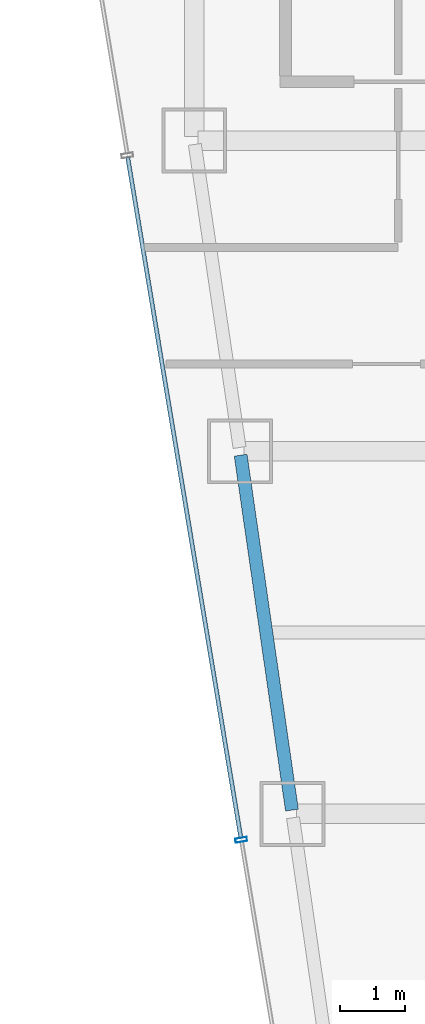
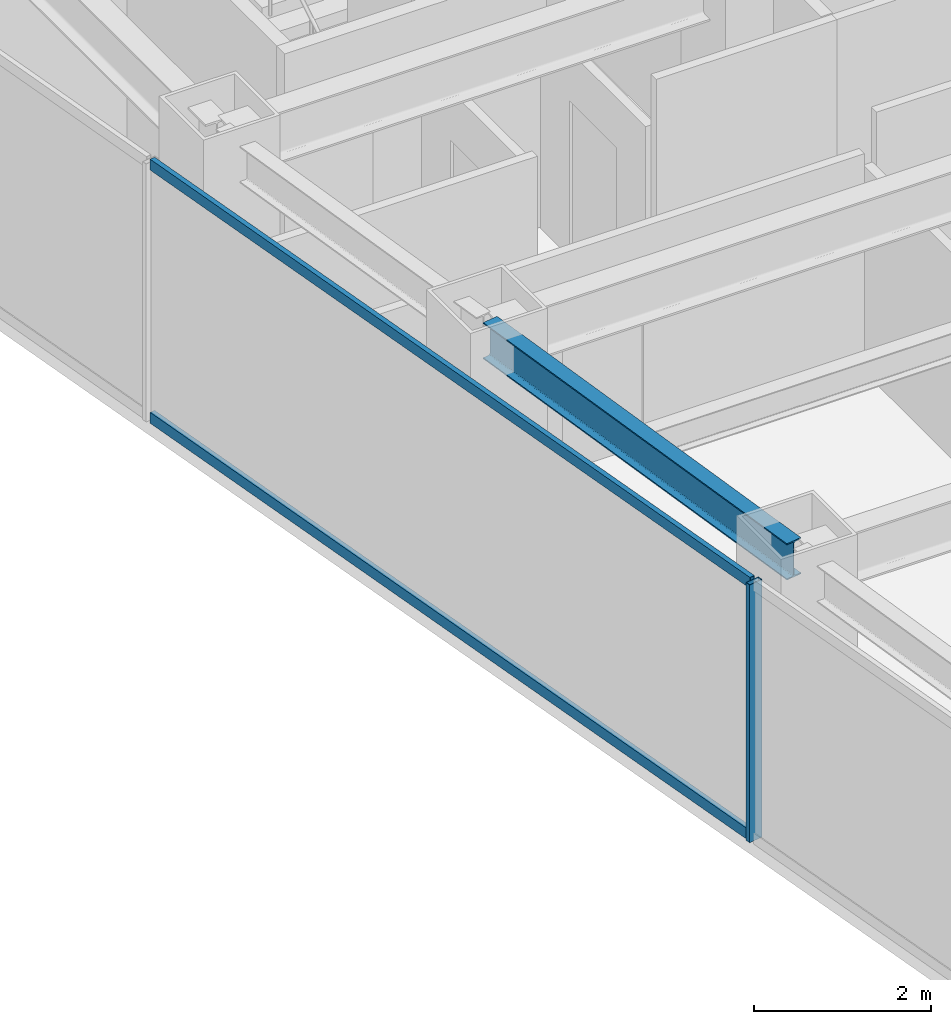
# One storey, part 9 of 38: 3 members, 1 beam, 1 element without a shape of its own.
"""IFC4 building model written with IfcOpenShell, lengths in metres."""

import ifcopenshell
import ifcopenshell.guid

model = None  # the IFC model being written
_history = None  # IfcOwnerHistory: only IFC2X3 demands one
_inside = {}  # id of a spatial element -> (the spatial element, [elements in it])
_under = {}  # id of a project, library or spatial element -> (it, [spatial elements below it])
_declared = {}  # id of a project -> (the project, [libraries it declares])
_typed = {}  # id of a type object -> (the type object, [elements of that type])
_made_of = {}  # id of a material, layer set ... -> (it, [elements and type objects made of it])


def new_model(schema):
    """Start an empty IFC model of exactly this schema.

    Asked for "IFC4X3", IfcOpenShell would pick the latest addendum, in which some entities
    have other attributes; the version numbers below select the first issue.
    IFC2X3 requires an IfcOwnerHistory on every rooted entity: one is made here for all.
    """
    global model, _history
    if schema == "IFC4X3":
        model = ifcopenshell.file(schema_version=(4, 3, 0, 0))
    else:
        model = ifcopenshell.file(schema=schema)
    _inside.clear()
    _under.clear()
    _declared.clear()
    _typed.clear()
    _made_of.clear()
    _history = None
    if model.schema == "IFC2X3":
        org = make("IfcOrganization", Name="unknown")
        user = make(
            "IfcPersonAndOrganization",
            ThePerson=make("IfcPerson", FamilyName="unknown"),
            TheOrganization=org,
        )
        app = make(
            "IfcApplication",
            ApplicationDeveloper=org,
            Version="unknown",
            ApplicationFullName="unknown",
            ApplicationIdentifier="unknown",
        )
        _history = make(
            "IfcOwnerHistory",
            OwningUser=user,
            OwningApplication=app,
            ChangeAction="ADDED",
            CreationDate=0,
        )
    return model


def make(cls, **values):
    """One entity of the class cls with the attributes given. An attribute that is None is left unset."""
    return model.create_entity(
        cls, **{name: value for name, value in values.items() if value is not None}
    )


def rooted(cls, **values):
    """An entity with a GlobalId (a new one), such as an element, a storey or a relation."""
    return make(cls, GlobalId=ifcopenshell.guid.new(), OwnerHistory=_history, **values)


def si_unit(unit_type, name, prefix=None):
    """IfcSIUnit, for example si_unit("LENGTHUNIT", "METRE", prefix="MILLI")."""
    return make("IfcSIUnit", UnitType=unit_type, Prefix=prefix, Name=name)


def assignment(units):
    """IfcUnitAssignment: the units of a project."""
    return None if units is None else make("IfcUnitAssignment", Units=units)


def point(xyz):
    """IfcCartesianPoint."""
    return None if xyz is None else make("IfcCartesianPoint", Coordinates=xyz)


def direction(xyz):
    """IfcDirection."""
    return None if xyz is None else make("IfcDirection", DirectionRatios=xyz)


def frame(location, z_axis=None, x_axis=None):
    """IfcAxis2Placement3D, a coordinate frame: its origin and axes. An axis left out is left unset."""
    return make(
        "IfcAxis2Placement3D",
        Location=point(location),
        Axis=direction(z_axis),
        RefDirection=direction(x_axis),
    )


def frame_2d(location, x_axis=None):
    """IfcAxis2Placement2D, a coordinate frame in the plane: its origin and x axis."""
    return make(
        "IfcAxis2Placement2D", Location=point(location), RefDirection=direction(x_axis)
    )


def origin():
    """The frame at (0, 0, 0) with its axes left unset."""
    return frame((0.0, 0.0, 0.0))


def origin_2d():
    """The frame at (0, 0) in the plane with its x axis left unset."""
    return frame_2d((0.0, 0.0))


def place(relative_to, where):
    """IfcLocalPlacement: puts the frame where relative to a parent placement (None: the world)."""
    return make(
        "IfcLocalPlacement", PlacementRelTo=relative_to, RelativePlacement=where
    )


def context(
    kind, dimensions, precision=None, world=None, true_north=None, identifier=None
):
    """IfcGeometricRepresentationContext, for example the 3D "Model" context."""
    return make(
        "IfcGeometricRepresentationContext",
        ContextIdentifier=identifier,
        ContextType=kind,
        CoordinateSpaceDimension=dimensions,
        Precision=precision,
        WorldCoordinateSystem=world,
        TrueNorth=true_north,
    )


def subcontext(parent, identifier, kind, view, scale=None):
    """IfcGeometricRepresentationSubContext, for example "Body" below "Model"."""
    return make(
        "IfcGeometricRepresentationSubContext",
        ContextIdentifier=identifier,
        ContextType=kind,
        ParentContext=parent,
        TargetScale=scale,
        TargetView=view,
    )


def project(units=None, contexts=None):
    """IfcProject with its units and contexts."""
    return rooted(
        "IfcProject",
        Name="project",
        RepresentationContexts=contexts,
        UnitsInContext=assignment(units),
    )


def spatial(cls, under=None, at=None, **own):
    """A site, building, storey or space (cls), placed at a placement, below another one or the project."""
    s = rooted(cls, ObjectPlacement=at, **own)
    if under is not None:
        _under.setdefault(under.id(), (under, []))[1].append(s)
    return s


def profile(cls, at=None, kind="AREA", **sizes):
    """A parametric profile (cls). Its sizes go by their IFC names, for example OverallWidth=200.0."""
    return make(cls, ProfileType=kind, Position=at, **sizes)


def hollow_rectangle(**sizes):
    """IfcRectangleHollowProfileDef."""
    return profile("IfcRectangleHollowProfileDef", **sizes)


def i_section(**sizes):
    """IfcIShapeProfileDef."""
    return profile("IfcIShapeProfileDef", **sizes)


def extrude(swept, where, along, depth):
    """IfcExtrudedAreaSolid: the profile swept, set in the frame where, extruded along a direction by depth."""
    return make(
        "IfcExtrudedAreaSolid",
        SweptArea=swept,
        Position=where,
        ExtrudedDirection=direction(along),
        Depth=depth,
    )


def shape(context_of_items, identifier, shape_type, items):
    """IfcShapeRepresentation: the items that make up one representation, for example the "Body"."""
    return make(
        "IfcShapeRepresentation",
        ContextOfItems=context_of_items,
        RepresentationIdentifier=identifier,
        RepresentationType=shape_type,
        Items=items,
    )


def material(Name=None, Category=None):
    """IfcMaterial."""
    return make("IfcMaterial", Name=Name, Category=Category)


def material_profile(
    of_material, cross_section, Name=None, Category=None, Priority=None
):
    """IfcMaterialProfile: a cross section and its material."""
    return make(
        "IfcMaterialProfile",
        Name=Name,
        Material=of_material,
        Profile=cross_section,
        Priority=Priority,
        Category=Category,
    )


def profile_set(profiles, Name=None, composite=None):
    """IfcMaterialProfileSet."""
    return make(
        "IfcMaterialProfileSet",
        Name=Name,
        MaterialProfiles=profiles,
        CompositeProfile=composite,
    )


def made_of(thing, what):
    """Note that an element or type object is made of a material, layer set ...; save() writes the relation."""
    if what is not None:
        _made_of.setdefault(what.id(), (what, []))[1].append(thing)
    return thing


def type_object(cls, material=None, **own):
    """A type object (cls), such as IfcWallType, which elements share."""
    return made_of(rooted(cls, **own), material)


def element(
    cls,
    number,
    at=None,
    inside=None,
    cuts=None,
    type_object=None,
    material=None,
    context=None,
    identifier="Body",
    shape_type=None,
    held_by="IfcProductDefinitionShape",
    body=None,
    shapes=None,
    **own,
):
    """One element of the class cls, such as IfcWall. Its Tag is "e" and its number.

    at: its placement. inside: the storey or other place that contains it. cuts: it is an
    opening in that element (IfcRelVoidsElement). A single representation is given by context,
    identifier, shape_type and body (its items); several are given by shapes. held_by: the class
    of the entity that holds the representations. save() writes the other relations.
    """
    e = rooted(cls, Tag="e%d" % number, ObjectPlacement=at, **own)
    if body is not None:
        shapes = [shape(context, identifier, shape_type, body)]
    if shapes is not None:
        e.Representation = make(held_by, Representations=shapes)
    if inside is not None:
        _inside.setdefault(inside.id(), (inside, []))[1].append(e)
    if cuts is not None:
        rooted(
            "IfcRelVoidsElement", RelatingBuildingElement=cuts, RelatedOpeningElement=e
        )
    if type_object is not None:
        _typed.setdefault(type_object.id(), (type_object, []))[1].append(e)
    return made_of(e, material)


def aggregate(whole, parts):
    """IfcRelAggregates: a whole, such as a stair, and the parts it consists of."""
    return rooted("IfcRelAggregates", RelatingObject=whole, RelatedObjects=parts)


def save(model, path):
    """Write the relations noted so far, then the file.

    IfcRelAggregates (storeys below a building ...), IfcRelContainedInSpatialStructure (elements
    in a storey), IfcRelDefinesByType, IfcRelAssociatesMaterial and IfcRelDeclares: one each for
    every whole, place, type object, material and project.
    """
    for whole, parts in _under.values():
        aggregate(whole, parts)
    for where, things in _inside.values():
        rooted(
            "IfcRelContainedInSpatialStructure",
            RelatedElements=things,
            RelatingStructure=where,
        )
    for kind, things in _typed.values():
        rooted("IfcRelDefinesByType", RelatedObjects=things, RelatingType=kind)
    for what, things in _made_of.values():
        rooted("IfcRelAssociatesMaterial", RelatedObjects=things, RelatingMaterial=what)
    for by, libraries in _declared.values():
        rooted("IfcRelDeclares", RelatingContext=by, RelatedDefinitions=libraries)
    model.write(path)


model = new_model("IFC4")

# Units and contexts
model_context = context("Model", 3, precision=1e-05, world=origin(), true_north=direction((0.0, 1.0)))
body_context = subcontext(model_context, "Body", "Model", "MODEL_VIEW")
ifc_project = project(units=[si_unit("LENGTHUNIT", "METRE"), si_unit("AREAUNIT", "SQUARE_METRE"), si_unit("VOLUMEUNIT", "CUBIC_METRE"), si_unit("PLANEANGLEUNIT", "RADIAN"), si_unit("MASSUNIT", "GRAM", prefix="KILO")], contexts=[model_context])

# Site, building, storey
site_placement = place(None, origin())
site = spatial("IfcSite", under=ifc_project, at=site_placement, CompositionType="ELEMENT")
building_placement = place(site_placement, origin())
building = spatial("IfcBuilding", under=site, at=building_placement, Name="Saevonmaru Cultural Tower", CompositionType="ELEMENT")
storey_placement = place(building_placement, frame((0.0, 0.0, 137.199951171875)))
storey = spatial("IfcBuildingStorey", under=building, at=storey_placement, Name="L29", CompositionType="ELEMENT", Elevation=137.199951171875)

# Beam
ifc_material_1 = material(Name="Steel SM355", Category="steel")
ifc_material_profile_1 = material_profile(ifc_material_1, i_section(OverallWidth=0.199951171875, OverallDepth=0.5, WebThickness=0.010009765625, FlangeThickness=0.01611328125, FilletRadius=0.02001953125, at=origin_2d()), Name="H-500x200x10x16")
ifc_profile_set_1 = profile_set([ifc_material_profile_1], Name="Steel SM355")
beam_type = type_object("IfcBeamType", Name="BM-SP-H500", PredefinedType="SPANDREL", material=ifc_profile_set_1)
beam_placement = place(storey_placement, frame((8.308349609375, 32.059326171875, 3.300048828125), z_axis=(-0.142964121327, 0.989727871697, 0.0), x_axis=(-0.989727871697, -0.142964121327, 0.0)))
element("IfcBeam", 1, at=beam_placement, inside=storey, type_object=beam_type, Name="L29 West Splayed Spandrel 4", PredefinedType="SPANDREL", context=body_context, shape_type="SweptSolid", body=[
    extrude(i_section(OverallWidth=0.199951171875, OverallDepth=0.5, WebThickness=0.010009765625, FlangeThickness=0.01611328125, FilletRadius=0.02001953125, at=origin_2d()), origin(), (0.0, 0.0, 1.0), 5.5380859375),
])

# Curtain wall, members
ifc_material_2 = material(Name="Satin Bronze Anodised Aluminium", Category="aluminium")
curtain_wall_type = type_object("IfcCurtainWallType", Name="CW-TYP-A", PredefinedType="NOTDEFINED", material=ifc_material_2)
curtain_wall_placement = place(storey_placement, origin())
curtain_wall = element("IfcCurtainWall", 2, at=curtain_wall_placement, inside=storey, type_object=curtain_wall_type, Name="L29 Unitised Curtain Wall E12", PredefinedType="NOTDEFINED")
ifc_material_profile_2 = material_profile(ifc_material_2, hollow_rectangle(XDim=0.06494140625, YDim=0.179931640625, WallThickness=0.00390625, at=origin_2d()), Name="ALU-MULL-180x65x4")
ifc_profile_set_2 = profile_set([ifc_material_profile_2], Name="Satin Bronze Anodised Aluminium")
member_type_1 = type_object("IfcMemberType", Name="ML-CW-180x65", PredefinedType="MULLION", material=ifc_profile_set_2)
member_1_placement = place(storey_placement, frame((7.5244140625, 31.60009765625, 0.0), z_axis=(0.0, 0.0, 1.0), x_axis=(0.163998702345, -0.986460554523, 0.0)))
member_1 = element("IfcMember", 3, at=member_1_placement, type_object=member_type_1, Name="CW-TW-L29-E12 mullion 3", PredefinedType="MULLION", context=body_context, shape_type="SweptSolid", body=[
    extrude(hollow_rectangle(XDim=0.06494140625, YDim=0.179931640625, WallThickness=0.00390625, at=origin_2d()), origin(), (0.0, 0.0, 1.0), 3.550048828125),
])
ifc_material_profile_3 = material_profile(ifc_material_2, hollow_rectangle(XDim=0.06494140625, YDim=0.14990234375, WallThickness=0.00390625, at=origin_2d()), Name="ALU-TRAN-150x65x4")
ifc_profile_set_3 = profile_set([ifc_material_profile_3], Name="Satin Bronze Anodised Aluminium")
member_type_2 = type_object("IfcMemberType", Name="TR-CW-150x65", PredefinedType="USERDEFINED", material=ifc_profile_set_3)
member_2_placement = place(storey_placement, frame((5.7724609375, 42.138427734375, 0.032470703125), z_axis=(0.163990079074, -0.9864619881, 0.0), x_axis=(0.9864619881, 0.163990079074, 0.0)))
member_2 = element("IfcMember", 4, at=member_2_placement, type_object=member_type_2, Name="CW-TW-L29-E12 transom 2.1", ObjectType="TRANSOM", PredefinedType="USERDEFINED", context=body_context, shape_type="SweptSolid", body=[
    extrude(hollow_rectangle(XDim=0.06494140625, YDim=0.14990234375, WallThickness=0.00390625, at=origin_2d()), origin(), (0.0, 0.0, 1.0), 10.650634765625),
])
member_3_placement = place(storey_placement, frame((5.7724609375, 42.138427734375, 3.517578125), z_axis=(0.163990079074, -0.9864619881, 0.0), x_axis=(0.9864619881, 0.163990079074, 0.0)))
member_3 = element("IfcMember", 5, at=member_3_placement, type_object=member_type_2, Name="CW-TW-L29-E12 transom 2.2", ObjectType="TRANSOM", PredefinedType="USERDEFINED", context=body_context, shape_type="SweptSolid", body=[
    extrude(hollow_rectangle(XDim=0.06494140625, YDim=0.14990234375, WallThickness=0.00390625, at=origin_2d()), origin(), (0.0, 0.0, 1.0), 10.650634765625),
])
aggregate(curtain_wall, [member_1, member_2, member_3])

save(model, "model.ifc")
